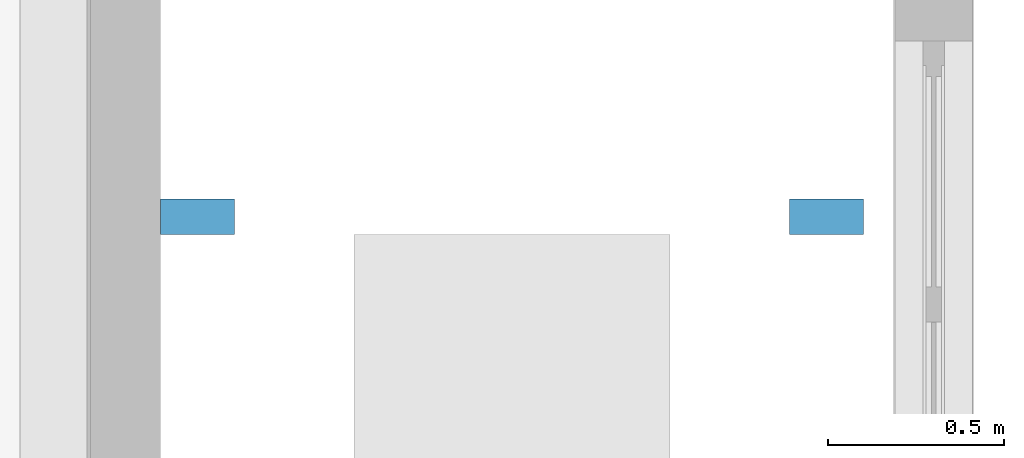
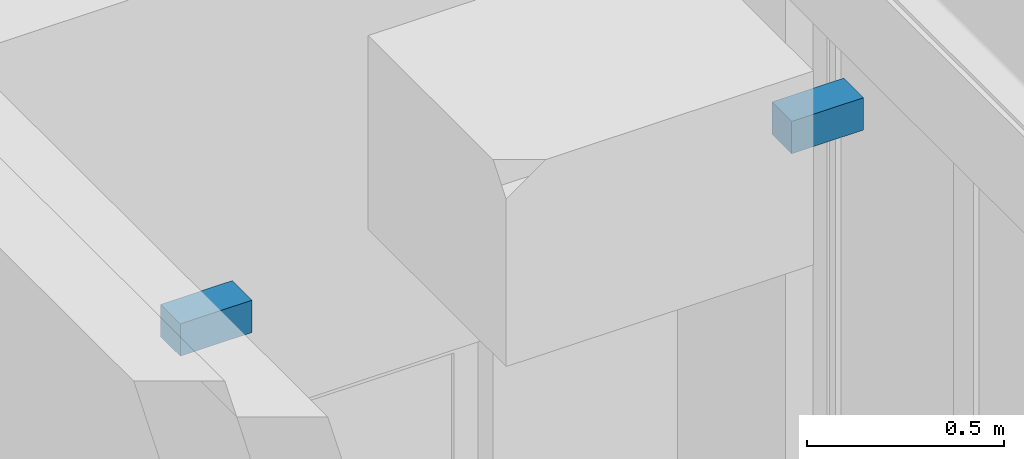
# One storey, part 94 of 123: 2 discrete accessories.
"""IFC4 building model written with IfcOpenShell, lengths in metres."""

from ifc_helpers import new_model, si_unit, direction, frame, origin, origin_2d, place, context, subcontext, project, spatial, rectangle, extrude, material, type_object, element, save


model = new_model("IFC4")

# Units and contexts
model_context = context("Model", 3, precision=1e-05, world=origin(), true_north=direction((0.0, 1.0)))
body_context = subcontext(model_context, "Body", "Model", "MODEL_VIEW")
ifc_project = project(units=[si_unit("LENGTHUNIT", "METRE"), si_unit("AREAUNIT", "SQUARE_METRE"), si_unit("VOLUMEUNIT", "CUBIC_METRE"), si_unit("PLANEANGLEUNIT", "RADIAN"), si_unit("MASSUNIT", "GRAM", prefix="KILO")], contexts=[model_context])

# Site, building, storey
site_placement = place(None, origin())
site = spatial("IfcSite", under=ifc_project, at=site_placement, CompositionType="ELEMENT")
building_placement = place(site_placement, origin())
building = spatial("IfcBuilding", under=site, at=building_placement, Name="Baradari Gate Terminus", CompositionType="ELEMENT")
storey_placement = place(building_placement, frame((0.0, 0.0, 7.5)))
storey = spatial("IfcBuildingStorey", under=building, at=storey_placement, Name="L01", CompositionType="ELEMENT", Elevation=7.5)

# Discrete accessories
ifc_material = material(Name="Steel S355", Category="steel")
discrete_accessory_type = type_object("IfcDiscreteAccessoryType", Name="Lift rail bracket RB-L1 100x100", PredefinedType="BRACKET", material=ifc_material)
for number, where, z_axis, x_axis, name in (
    (1, (150.905029296875, 16.75, 3.25), (0.0, 0.0, 1.0), (1.0, 0.0, 0.0), "Lift rail bracket LSW2 1B"),
    (2, (152.695068359375, 16.75, 3.25), (0.0, 0.0, 1.0), (1.0, 0.0, 0.0), "Lift rail bracket LSW2 2B"),
):
    element("IfcDiscreteAccessory", number, at=place(storey_placement, frame(where, z_axis=z_axis, x_axis=x_axis)), inside=storey, type_object=discrete_accessory_type, Name=name, PredefinedType="BRACKET", context=body_context, shape_type="SweptSolid", body=[
        extrude(rectangle(XDim=0.2099609375, YDim=0.10009765625, at=origin_2d()), origin(), (0.0, 0.0, 1.0), 0.10009765625),
    ])

save(model, "model.ifc")
